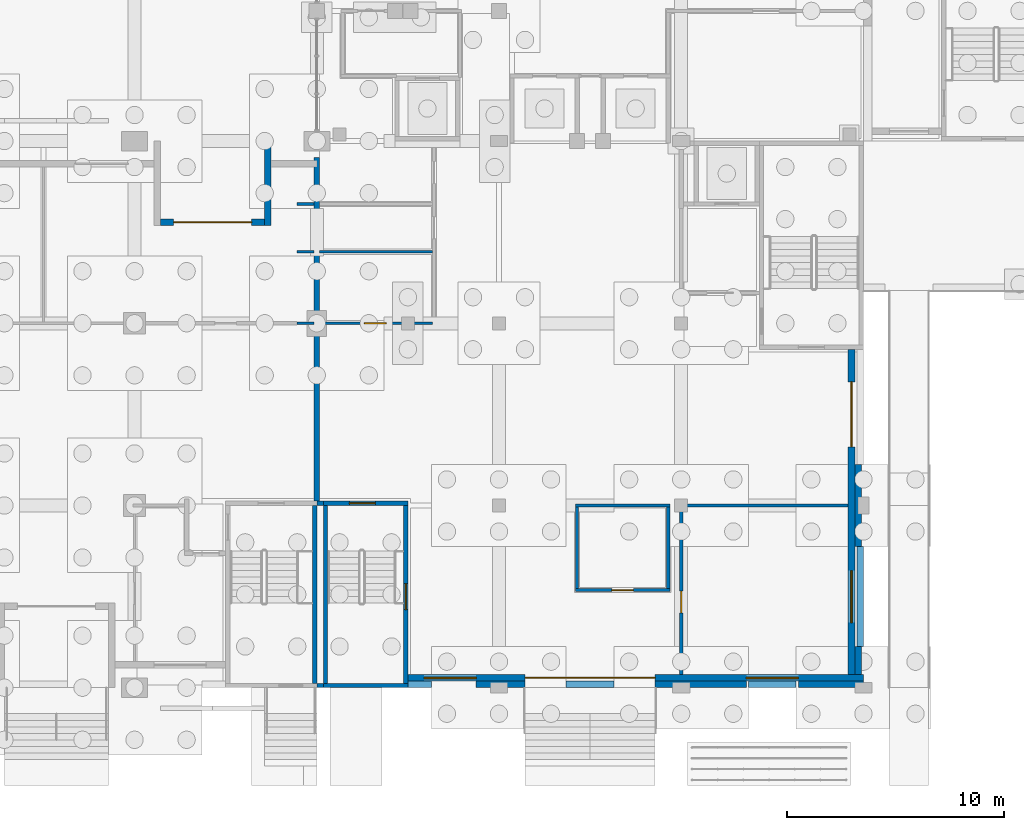
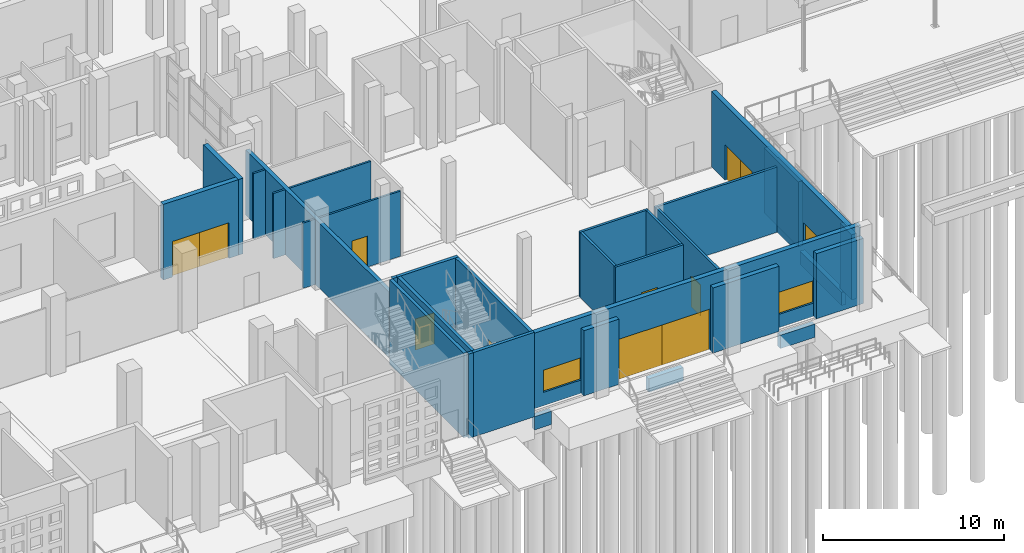
# One storey, part 44 of 129: 32 walls, 11 doors, 3 windows, 14 openings.
"""IFC4 building model written with IfcOpenShell, lengths in metres."""

from ifc_helpers import new_model, si_unit, direction, frame, frame_2d, origin, place, context, subcontext, project, spatial, rectangle, extrude, material, layer, layer_set, type_object, element, fill, save


model = new_model("IFC4")

# Units and contexts
model_context = context("Model", 3, precision=1e-05, world=origin(), true_north=direction((0.0, 1.0)))
body_context = subcontext(model_context, "Body", "Model", "MODEL_VIEW")
ifc_project = project(units=[si_unit("LENGTHUNIT", "METRE"), si_unit("AREAUNIT", "SQUARE_METRE"), si_unit("VOLUMEUNIT", "CUBIC_METRE"), si_unit("PLANEANGLEUNIT", "RADIAN"), si_unit("MASSUNIT", "GRAM", prefix="KILO")], contexts=[model_context])

# Site, building, storey
site_placement = place(None, origin())
site = spatial("IfcSite", under=ifc_project, at=site_placement, CompositionType="ELEMENT")
building_placement = place(site_placement, origin())
building = spatial("IfcBuilding", under=site, at=building_placement, Name="Kiln Court Media Centre", CompositionType="ELEMENT")
storey_placement = place(building_placement, origin())
storey = spatial("IfcBuildingStorey", under=building, at=storey_placement, Name="L00", CompositionType="ELEMENT", Elevation=0.0)

# Wall
ifc_material_1 = material(Name="Concrete block masonry M10", Category="masonry")
ifc_layer_1 = layer(ifc_material_1, 0.25)
ifc_layer_set_1 = layer_set([ifc_layer_1], Name="Block fire wall 250 EI 240")
wall_type_1 = type_object("IfcWallType", Name="Block fire wall 250 EI 240", PredefinedType="SOLIDWALL", material=ifc_layer_set_1)
wall_1_placement = place(storey_placement, frame((33.60009765625, 8.60009765625, 0.0), z_axis=(0.0, 0.0, 1.0), x_axis=(0.0, 1.0, 0.0)))
element("IfcWall", 1, at=wall_1_placement, inside=storey, type_object=wall_type_1, Name="L00 block fire wall", PredefinedType="SOLIDWALL", context=body_context, shape_type="SweptSolid", body=[
    extrude(rectangle(XDim=15.849853515625, YDim=0.25, at=frame_2d((7.9248046875, 0.0))), origin(), (0.0, 0.0, 1.0), 4.39990234375),
])

# Wall, openings, doors, window
ifc_material_2 = material(Name="Brick masonry facing leaf with RC backing", Category="masonry")
ifc_layer_2 = layer(ifc_material_2, 0.300048828125)
ifc_layer_set_2 = layer_set([ifc_layer_2], Name="Brick masonry cavity wall 300")
wall_type_2 = type_object("IfcWallType", Name="Brick masonry cavity wall 300", PredefinedType="SOLIDWALL", material=ifc_layer_set_2)
wall_2_placement = place(storey_placement, frame((58.25, 15.60009765625, 0.0), z_axis=(0.0, 0.0, 1.0), x_axis=(0.0, -1.0, 0.0)))
wall_2 = element("IfcWall", 2, at=wall_2_placement, inside=storey, type_object=wall_type_2, Name="V6B-E facade L00 3000", PredefinedType="SOLIDWALL", context=body_context, shape_type="SweptSolid", body=[
    extrude(rectangle(XDim=15.0, YDim=0.300048828125, at=frame_2d((7.5, 0.0))), origin(), (0.0, 0.0, 1.0), 5.10009765625),
])
opening_1_placement = place(wall_2_placement, frame((10.199951171875, 0.0, 0.89990234375)))
opening_1 = element("IfcOpeningElement", 3, at=opening_1_placement, cuts=wall_2, Name="Opening WN0001", PredefinedType="OPENING", context=body_context, shape_type="SweptSolid", body=[
    extrude(rectangle(XDim=2.39990234375, YDim=1.5, at=frame_2d((1.199951171875, 0.75))), frame((0.0, 0.159912109375, 0.0), z_axis=(0.0, -1.0, 0.0), x_axis=(1.0, 0.0, 0.0)), (0.0, 0.0, 1.0), 0.320068359375),
])
opening_2_placement = place(wall_2_placement, frame((3.0, 0.0, 0.0)))
opening_2 = element("IfcOpeningElement", 4, at=opening_2_placement, cuts=wall_2, Name="Opening D0600", PredefinedType="OPENING", context=body_context, shape_type="SweptSolid", body=[
    extrude(rectangle(XDim=1.5, YDim=2.39990234375, at=frame_2d((0.75, 1.199951171875))), frame((0.0, 0.159912109375, 0.0), z_axis=(0.0, -1.0, 0.0), x_axis=(1.0, 0.0, 0.0)), (0.0, 0.0, 1.0), 0.320068359375),
])
opening_3_placement = place(wall_2_placement, frame((1.5, 0.0, 0.0)))
opening_3 = element("IfcOpeningElement", 5, at=opening_3_placement, cuts=wall_2, Name="Opening D0601", PredefinedType="OPENING", context=body_context, shape_type="SweptSolid", body=[
    extrude(rectangle(XDim=1.5, YDim=2.39990234375, at=frame_2d((0.75, 1.199951171875))), frame((0.0, 0.159912109375, 0.0), z_axis=(0.0, -1.0, 0.0), x_axis=(1.0, 0.0, 0.0)), (0.0, 0.0, 1.0), 0.320068359375),
])
ifc_material_3 = material(Name="Aluminium 6063-T6", Category="aluminium")
door_type_1 = type_object("IfcDoorType", Name="Aluminium glazed entrance door 1500x2400", OperationType="DOUBLE_DOOR_DOUBLE_SWING", PredefinedType="DOOR", material=ifc_material_3)
door_1_placement = place(opening_2_placement, origin())
door_1 = element("IfcDoor", 6, at=door_1_placement, inside=storey, type_object=door_type_1, Name="DD door D0600", OperationType="SINGLE_SWING_LEFT", OverallHeight=2.39990234375, OverallWidth=1.5, PredefinedType="DOOR", context=body_context, shape_type="SweptSolid", body=[
    extrude(rectangle(XDim=1.5, YDim=2.39990234375, at=frame_2d((0.75, 1.199951171875))), frame((0.0, 0.02490234375, 0.0), z_axis=(0.0, -1.0, 0.0), x_axis=(1.0, 0.0, 0.0)), (0.0, 0.0, 1.0), 0.050048828125),
])
fill(opening_2, door_1)
door_2_placement = place(opening_3_placement, origin())
door_2 = element("IfcDoor", 7, at=door_2_placement, inside=storey, type_object=door_type_1, Name="DD door D0601", OperationType="SINGLE_SWING_LEFT", OverallHeight=2.39990234375, OverallWidth=1.5, PredefinedType="DOOR", context=body_context, shape_type="SweptSolid", body=[
    extrude(rectangle(XDim=1.5, YDim=2.39990234375, at=frame_2d((0.75, 1.199951171875))), frame((0.0, 0.02490234375, 0.0), z_axis=(0.0, -1.0, 0.0), x_axis=(1.0, 0.0, 0.0)), (0.0, 0.0, 1.0), 0.050048828125),
])
fill(opening_3, door_2)
ifc_material_4 = material(Name="Aluminium 6063-T6", Category="aluminium")
window_type = type_object("IfcWindowType", Name="Aluminium window 2400x1500", PartitioningType="TRIPLE_PANEL_VERTICAL", PredefinedType="WINDOW", material=ifc_material_4)
window_1_placement = place(opening_1_placement, origin())
window_1 = element("IfcWindow", 8, at=window_1_placement, inside=storey, type_object=window_type, Name="WC window WN0001", OverallHeight=1.5, OverallWidth=2.39990234375, PartitioningType="SINGLE_PANEL", PredefinedType="WINDOW", context=body_context, shape_type="SweptSolid", body=[
    extrude(rectangle(XDim=2.39990234375, YDim=1.5, at=frame_2d((1.199951171875, 0.75))), frame((0.0, 0.030029296875, 0.0), z_axis=(0.0, -1.0, 0.0), x_axis=(1.0, 0.0, 0.0)), (0.0, 0.0, 1.0), 0.06005859375),
])
fill(opening_1, window_1)

# Wall, openings, doors, windows
wall_3_placement = place(storey_placement, frame((58.800048828125, 0.449951171875, 0.0), z_axis=(0.0, 0.0, 1.0), x_axis=(-1.0, 0.0, 0.0)))
wall_3 = element("IfcWall", 9, at=wall_3_placement, inside=storey, type_object=wall_type_2, Name="V6B-S facade L00 3003", PredefinedType="SOLIDWALL", context=body_context, shape_type="SweptSolid", body=[
    extrude(rectangle(XDim=21.0, YDim=0.300048828125, at=frame_2d((10.5, 0.0))), origin(), (0.0, 0.0, 1.0), 5.10009765625),
])
opening_4_placement = place(wall_3_placement, frame((17.85009765625, 0.0, 0.89990234375)))
opening_4 = element("IfcOpeningElement", 10, at=opening_4_placement, cuts=wall_3, Name="Opening WN0002", PredefinedType="OPENING", context=body_context, shape_type="SweptSolid", body=[
    extrude(rectangle(XDim=2.39990234375, YDim=1.5, at=frame_2d((1.199951171875, 0.75))), frame((0.0, 0.159912109375, 0.0), z_axis=(0.0, -1.0, 0.0), x_axis=(1.0, 0.0, 0.0)), (0.0, 0.0, 1.0), 0.320068359375),
])
opening_5_placement = place(wall_3_placement, frame((3.0, 0.0, 0.89990234375)))
opening_5 = element("IfcOpeningElement", 11, at=opening_5_placement, cuts=wall_3, Name="Opening WN0004", PredefinedType="OPENING", context=body_context, shape_type="SweptSolid", body=[
    extrude(rectangle(XDim=2.39990234375, YDim=1.5, at=frame_2d((1.199951171875, 0.75))), frame((0.0, 0.159912109375, 0.0), z_axis=(0.0, -1.0, 0.0), x_axis=(1.0, 0.0, 0.0)), (0.0, 0.0, 1.0), 0.320068359375),
])
opening_6_placement = place(wall_3_placement, frame((12.60009765625, 0.0, 0.0)))
opening_6 = element("IfcOpeningElement", 12, at=opening_6_placement, cuts=wall_3, Name="Opening D0785", PredefinedType="OPENING", context=body_context, shape_type="SweptSolid", body=[
    extrude(rectangle(XDim=3.0, YDim=2.800048828125, at=frame_2d((1.5, 1.39990234375))), frame((0.0, 0.159912109375, 0.0), z_axis=(0.0, -1.0, 0.0), x_axis=(1.0, 0.0, 0.0)), (0.0, 0.0, 1.0), 0.320068359375),
])
opening_7_placement = place(wall_3_placement, frame((9.60009765625, 0.0, 0.0)))
opening_7 = element("IfcOpeningElement", 13, at=opening_7_placement, cuts=wall_3, Name="Opening D0786", PredefinedType="OPENING", context=body_context, shape_type="SweptSolid", body=[
    extrude(rectangle(XDim=3.0, YDim=2.800048828125, at=frame_2d((1.5, 1.39990234375))), frame((0.0, 0.159912109375, 0.0), z_axis=(0.0, -1.0, 0.0), x_axis=(1.0, 0.0, 0.0)), (0.0, 0.0, 1.0), 0.320068359375),
])
ifc_material_5 = material(Name="Aluminium 6063-T6", Category="aluminium")
door_type_2 = type_object("IfcDoorType", Name="Aluminium hall entrance door 3000x2800", OperationType="DOUBLE_DOOR_DOUBLE_SWING", PredefinedType="DOOR", material=ifc_material_5)
door_3_placement = place(opening_6_placement, origin())
door_3 = element("IfcDoor", 14, at=door_3_placement, inside=storey, type_object=door_type_2, Name="EN-04 entrance door 1", OperationType="DOUBLE_DOOR_DOUBLE_SWING", OverallHeight=2.800048828125, OverallWidth=3.0, PredefinedType="DOOR", context=body_context, shape_type="SweptSolid", body=[
    extrude(rectangle(XDim=3.0, YDim=2.800048828125, at=frame_2d((1.5, 1.39990234375))), frame((0.0, 0.02490234375, 0.0), z_axis=(0.0, -1.0, 0.0), x_axis=(1.0, 0.0, 0.0)), (0.0, 0.0, 1.0), 0.050048828125),
])
fill(opening_6, door_3)
door_4_placement = place(opening_7_placement, origin())
door_4 = element("IfcDoor", 15, at=door_4_placement, inside=storey, type_object=door_type_2, Name="EN-04 entrance door 2", OperationType="DOUBLE_DOOR_DOUBLE_SWING", OverallHeight=2.800048828125, OverallWidth=3.0, PredefinedType="DOOR", context=body_context, shape_type="SweptSolid", body=[
    extrude(rectangle(XDim=3.0, YDim=2.800048828125, at=frame_2d((1.5, 1.39990234375))), frame((0.0, 0.02490234375, 0.0), z_axis=(0.0, -1.0, 0.0), x_axis=(1.0, 0.0, 0.0)), (0.0, 0.0, 1.0), 0.050048828125),
])
fill(opening_7, door_4)
window_2_placement = place(opening_4_placement, origin())
window_2 = element("IfcWindow", 16, at=window_2_placement, inside=storey, type_object=window_type, Name="WC window WN0002", OverallHeight=1.5, OverallWidth=2.39990234375, PartitioningType="SINGLE_PANEL", PredefinedType="WINDOW", context=body_context, shape_type="SweptSolid", body=[
    extrude(rectangle(XDim=2.39990234375, YDim=1.5, at=frame_2d((1.199951171875, 0.75))), frame((0.0, 0.030029296875, 0.0), z_axis=(0.0, -1.0, 0.0), x_axis=(1.0, 0.0, 0.0)), (0.0, 0.0, 1.0), 0.06005859375),
])
fill(opening_4, window_2)
window_3_placement = place(opening_5_placement, origin())
window_3 = element("IfcWindow", 17, at=window_3_placement, inside=storey, type_object=window_type, Name="WC window WN0004", OverallHeight=1.5, OverallWidth=2.39990234375, PartitioningType="SINGLE_PANEL", PredefinedType="WINDOW", context=body_context, shape_type="SweptSolid", body=[
    extrude(rectangle(XDim=2.39990234375, YDim=1.5, at=frame_2d((1.199951171875, 0.75))), frame((0.0, 0.030029296875, 0.0), z_axis=(0.0, -1.0, 0.0), x_axis=(1.0, 0.0, 0.0)), (0.0, 0.0, 1.0), 0.06005859375),
])
fill(opening_5, window_3)

# Walls
ifc_material_6 = material(Name="Brick masonry facing leaf with RC backing", Category="masonry")
ifc_layer_3 = layer(ifc_material_6, 0.300048828125)
ifc_layer_set_3 = layer_set([ifc_layer_3], Name="Brick masonry plinth layer 300")
wall_type_3 = type_object("IfcWallType", Name="Brick masonry plinth layer 300", PredefinedType="SOLIDWALL", material=ifc_layer_set_3)
wall_4_placement = place(storey_placement, frame((58.550048828125, 1.89990234375, 0.0), z_axis=(0.0, 0.0, 1.0), x_axis=(0.0, -1.0, 0.0)))
element("IfcWall", 18, at=wall_4_placement, inside=storey, type_object=wall_type_3, Name="V6B-E plinth layer", PredefinedType="SOLIDWALL", context=body_context, shape_type="SweptSolid", body=[
    extrude(rectangle(XDim=1.2998046875, YDim=0.300048828125, at=frame_2d((0.64990234375, 0.0))), origin(), (0.0, 0.0, 1.0), 4.39990234375),
])
wall_5_placement = place(storey_placement, frame((58.550048828125, 10.300048828125, 0.0), z_axis=(0.0, 0.0, 1.0), x_axis=(0.0, -1.0, 0.0)))
element("IfcWall", 19, at=wall_5_placement, inside=storey, type_object=wall_type_3, Name="V6B-E plinth layer", PredefinedType="SOLIDWALL", context=body_context, shape_type="SweptSolid", body=[
    extrude(rectangle(XDim=3.800048828125, YDim=0.300048828125, at=frame_2d((1.89990234375, 0.0))), origin(), (0.0, 0.0, 1.0), 4.39990234375),
])
wall_6_placement = place(storey_placement, frame((43.199951171875, 0.14990234375, 0.0), z_axis=(0.0, 0.0, 1.0), x_axis=(-1.0, 0.0, 0.0)))
element("IfcWall", 20, at=wall_6_placement, inside=storey, type_object=wall_type_3, Name="V6B-S plinth layer", PredefinedType="SOLIDWALL", context=body_context, shape_type="SweptSolid", body=[
    extrude(rectangle(XDim=2.25, YDim=0.300048828125, at=frame_2d((1.125, 0.0))), origin(), (0.0, 0.0, 1.0), 4.39990234375),
])
wall_7_placement = place(storey_placement, frame((53.39990234375, 0.14990234375, 0.0), z_axis=(0.0, 0.0, 1.0), x_axis=(-1.0, 0.0, 0.0)))
element("IfcWall", 21, at=wall_7_placement, inside=storey, type_object=wall_type_3, Name="V6B-S plinth layer", PredefinedType="SOLIDWALL", context=body_context, shape_type="SweptSolid", body=[
    extrude(rectangle(XDim=4.199951171875, YDim=0.300048828125, at=frame_2d((2.10009765625, 0.0))), origin(), (0.0, 0.0, 1.0), 4.39990234375),
])
wall_8_placement = place(storey_placement, frame((58.800048828125, 0.14990234375, 0.0), z_axis=(0.0, 0.0, 1.0), x_axis=(-1.0, 0.0, 0.0)))
element("IfcWall", 22, at=wall_8_placement, inside=storey, type_object=wall_type_3, Name="V6B-S plinth layer", PredefinedType="SOLIDWALL", context=body_context, shape_type="SweptSolid", body=[
    extrude(rectangle(XDim=3.0, YDim=0.300048828125, at=frame_2d((1.5, 0.0))), origin(), (0.0, 0.0, 1.0), 4.39990234375),
])
ifc_material_7 = material(Name="Brick masonry facing leaf with RC backing", Category="masonry")
ifc_layer_4 = layer(ifc_material_7, 0.300048828125)
ifc_layer_set_4 = layer_set([ifc_layer_4], Name="Brick masonry wing wall 300")
wall_type_4 = type_object("IfcWallType", Name="Brick masonry wing wall 300", PredefinedType="SOLIDWALL", material=ifc_layer_set_4)
wall_9_placement = place(storey_placement, frame((31.35009765625, 21.300048828125, 0.0), z_axis=(0.0, 0.0, 1.0), x_axis=(0.0, 1.0, 0.0)))
element("IfcWall", 23, at=wall_9_placement, inside=storey, type_object=wall_type_4, Name="V6A-N porch side wall", PredefinedType="SOLIDWALL", context=body_context, shape_type="SweptSolid", body=[
    extrude(rectangle(XDim=3.89990234375, YDim=0.300048828125, at=frame_2d((1.949951171875, 0.0))), origin(), (0.0, 0.0, 1.0), 5.10009765625),
])

# Wall, openings, doors
wall_10_placement = place(storey_placement, frame((26.39990234375, 21.449951171875, 0.0), z_axis=(0.0, 0.0, 1.0), x_axis=(1.0, 0.0, 0.0)))
wall_10 = element("IfcWall", 24, at=wall_10_placement, inside=storey, type_object=wall_type_4, Name="V6A-N porch back wall", PredefinedType="SOLIDWALL", context=body_context, shape_type="SweptSolid", body=[
    extrude(rectangle(XDim=4.800048828125, YDim=0.300048828125, at=frame_2d((2.39990234375, 0.0))), origin(), (0.0, 0.0, 1.0), 5.10009765625),
])
opening_8_placement = place(wall_10_placement, frame((0.60009765625, 0.0, 0.0)))
opening_8 = element("IfcOpeningElement", 25, at=opening_8_placement, cuts=wall_10, Name="Opening D0610", PredefinedType="OPENING", context=body_context, shape_type="SweptSolid", body=[
    extrude(rectangle(XDim=1.800048828125, YDim=2.39990234375, at=frame_2d((0.89990234375, 1.199951171875))), frame((0.0, 0.159912109375, 0.0), z_axis=(0.0, -1.0, 0.0), x_axis=(1.0, 0.0, 0.0)), (0.0, 0.0, 1.0), 0.320068359375),
])
opening_9_placement = place(wall_10_placement, frame((2.39990234375, 0.0, 0.0)))
opening_9 = element("IfcOpeningElement", 26, at=opening_9_placement, cuts=wall_10, Name="Opening D0611", PredefinedType="OPENING", context=body_context, shape_type="SweptSolid", body=[
    extrude(rectangle(XDim=1.800048828125, YDim=2.39990234375, at=frame_2d((0.89990234375, 1.199951171875))), frame((0.0, 0.159912109375, 0.0), z_axis=(0.0, -1.0, 0.0), x_axis=(1.0, 0.0, 0.0)), (0.0, 0.0, 1.0), 0.320068359375),
])
ifc_material_8 = material(Name="Aluminium 6063-T6", Category="aluminium")
door_type_3 = type_object("IfcDoorType", Name="Aluminium glazed entrance door 1800x2400", OperationType="DOUBLE_DOOR_DOUBLE_SWING", PredefinedType="DOOR", material=ifc_material_8)
door_5_placement = place(opening_8_placement, origin())
door_5 = element("IfcDoor", 27, at=door_5_placement, inside=storey, type_object=door_type_3, Name="DA door D0610", OperationType="SINGLE_SWING_LEFT", OverallHeight=2.39990234375, OverallWidth=1.800048828125, PredefinedType="DOOR", context=body_context, shape_type="SweptSolid", body=[
    extrude(rectangle(XDim=1.800048828125, YDim=2.39990234375, at=frame_2d((0.89990234375, 1.199951171875))), frame((0.0, 0.02490234375, 0.0), z_axis=(0.0, -1.0, 0.0), x_axis=(1.0, 0.0, 0.0)), (0.0, 0.0, 1.0), 0.050048828125),
])
fill(opening_8, door_5)
door_6_placement = place(opening_9_placement, origin())
door_6 = element("IfcDoor", 28, at=door_6_placement, inside=storey, type_object=door_type_3, Name="DA door D0611", OperationType="SINGLE_SWING_LEFT", OverallHeight=2.39990234375, OverallWidth=1.800048828125, PredefinedType="DOOR", context=body_context, shape_type="SweptSolid", body=[
    extrude(rectangle(XDim=1.800048828125, YDim=2.39990234375, at=frame_2d((0.89990234375, 1.199951171875))), frame((0.0, 0.02490234375, 0.0), z_axis=(0.0, -1.0, 0.0), x_axis=(1.0, 0.0, 0.0)), (0.0, 0.0, 1.0), 0.050048828125),
])
fill(opening_9, door_6)

# Walls
ifc_material_9 = material(Name="Concrete C30/37", Category="concrete")
ifc_layer_5 = layer(ifc_material_9, 0.300048828125)
ifc_layer_set_5 = layer_set([ifc_layer_5], Name="Concrete C30/37 plinth wall 300")
wall_type_5 = type_object("IfcWallType", Name="Concrete C30/37 plinth wall 300", PredefinedType="SOLIDWALL", material=ifc_layer_set_5)
wall_11_placement = place(storey_placement, frame((38.89990234375, 0.14990234375, -1.199951171875), z_axis=(0.0, 0.0, 1.0), x_axis=(-1.0, 0.0, 0.0)))
element("IfcWall", 29, at=wall_11_placement, inside=storey, type_object=wall_type_5, Name="L00-W-1169", PredefinedType="SOLIDWALL", context=body_context, shape_type="SweptSolid", body=[
    extrude(rectangle(XDim=1.099853515625, YDim=0.300048828125, at=frame_2d((0.5498046875, 0.0))), origin(), (0.0, 0.0, 1.0), 0.89990234375),
])
for number, where, z_axis, x_axis, name in (
    (30, (47.300048828125, 0.14990234375, -1.199951171875), (0.0, 0.0, 1.0), (-1.0, 0.0, 0.0), "L00-W-1170"),
    (31, (55.699951171875, 0.14990234375, -1.199951171875), (0.0, 0.0, 1.0), (-1.0, 0.0, 0.0), "L00-W-1171"),
):
    element("IfcWall", number, at=place(storey_placement, frame(where, z_axis=z_axis, x_axis=x_axis)), inside=storey, type_object=wall_type_5, Name=name, PredefinedType="SOLIDWALL", context=body_context, shape_type="SweptSolid", body=[
        extrude(rectangle(XDim=2.199951171875, YDim=0.300048828125, at=frame_2d((1.10009765625, 0.0))), origin(), (0.0, 0.0, 1.0), 0.89990234375),
    ])
wall_12_placement = place(storey_placement, frame((58.64990234375, 6.5, -1.199951171875), z_axis=(0.0, 0.0, 1.0), x_axis=(0.0, -1.0, 0.0)))
element("IfcWall", 32, at=wall_12_placement, inside=storey, type_object=wall_type_5, Name="L00-W-1172", PredefinedType="SOLIDWALL", context=body_context, shape_type="SweptSolid", body=[
    extrude(rectangle(XDim=4.60009765625, YDim=0.300048828125, at=frame_2d((2.300048828125, 0.0))), origin(), (0.0, 0.0, 1.0), 0.89990234375),
])
ifc_material_10 = material(Name="Concrete C40/50", Category="concrete")
ifc_layer_6 = layer(ifc_material_10, 0.199951171875)
ifc_layer_set_6 = layer_set([ifc_layer_6], Name="Concrete C40/50 shear wall 200")
wall_type_6 = type_object("IfcWallType", Name="Concrete C40/50 shear wall 200", PredefinedType="SHEAR", material=ifc_layer_set_6)
wall_13_placement = place(storey_placement, frame((33.5, 8.39990234375, -0.300048828125), z_axis=(0.0, 0.0, 1.0), x_axis=(0.0, -1.0, 0.0)))
element("IfcWall", 33, at=wall_13_placement, inside=storey, type_object=wall_type_6, Name="L00-W-1011", PredefinedType="SHEAR", context=body_context, shape_type="SweptSolid", body=[
    extrude(rectangle(XDim=8.199951171875, YDim=0.199951171875, at=frame_2d((4.10009765625, 0.0))), origin(), (0.0, 0.0, 1.0), 5.699951171875),
])
wall_14_placement = place(storey_placement, frame((37.800048828125, 0.10009765625, -0.300048828125), z_axis=(0.0, 0.0, 1.0), x_axis=(-1.0, 0.0, 0.0)))
element("IfcWall", 34, at=wall_14_placement, inside=storey, type_object=wall_type_6, Name="L00-W-1012", PredefinedType="SHEAR", context=body_context, shape_type="SweptSolid", body=[
    extrude(rectangle(XDim=3.900146484375, YDim=0.199951171875, at=frame_2d((1.9501953125, 0.0))), origin(), (0.0, 0.0, 1.0), 5.699951171875),
])

# Wall, opening, door
wall_15_placement = place(storey_placement, frame((33.89990234375, 8.5, -0.300048828125), z_axis=(0.0, 0.0, 1.0), x_axis=(1.0, 0.0, 0.0)))
wall_15 = element("IfcWall", 35, at=wall_15_placement, inside=storey, type_object=wall_type_6, Name="L00-W-1013", PredefinedType="SHEAR", context=body_context, shape_type="SweptSolid", body=[
    extrude(rectangle(XDim=3.900146484375, YDim=0.199951171875, at=frame_2d((1.9501953125, 0.0))), origin(), (0.0, 0.0, 1.0), 5.699951171875),
])
opening_10_placement = place(wall_15_placement, frame((1.2001953125, 0.0, 0.300048828125)))
opening_10 = element("IfcOpeningElement", 36, at=opening_10_placement, cuts=wall_15, Name="Opening D0020", PredefinedType="OPENING", context=body_context, shape_type="SweptSolid", body=[
    extrude(rectangle(XDim=1.199951171875, YDim=2.10009765625, at=frame_2d((0.60009765625, 1.050048828125))), frame((0.0, 0.10986328125, 0.0), z_axis=(0.0, -1.0, 0.0), x_axis=(1.0, 0.0, 0.0)), (0.0, 0.0, 1.0), 0.219970703125),
])
ifc_material_11 = material(Name="Steel S275", Category="steel")
door_type_4 = type_object("IfcDoorType", Name="Steel stair door 1200 x 2100 FD180", OperationType="SINGLE_SWING_LEFT", PredefinedType="DOOR", material=ifc_material_11)
door_7_placement = place(opening_10_placement, origin())
door_7 = element("IfcDoor", 37, at=door_7_placement, inside=storey, type_object=door_type_4, Name="Stair 4 / Foyer Cafe", OperationType="SINGLE_SWING_RIGHT", OverallHeight=2.10009765625, OverallWidth=1.199951171875, PredefinedType="DOOR", context=body_context, shape_type="SweptSolid", body=[
    extrude(rectangle(XDim=1.199951171875, YDim=2.10009765625, at=frame_2d((0.60009765625, 1.050048828125))), frame((0.0, 0.02490234375, 0.0), z_axis=(0.0, -1.0, 0.0), x_axis=(1.0, 0.0, 0.0)), (0.0, 0.0, 1.0), 0.050048828125),
])
fill(opening_10, door_7)

# Wall
wall_16_placement = place(storey_placement, frame((34.0, 0.199951171875, -0.300048828125), z_axis=(0.0, 0.0, 1.0), x_axis=(0.0, 1.0, 0.0)))
element("IfcWall", 38, at=wall_16_placement, inside=storey, type_object=wall_type_6, Name="L00-W-1014", PredefinedType="SHEAR", context=body_context, shape_type="SweptSolid", body=[
    extrude(rectangle(XDim=8.199951171875, YDim=0.199951171875, at=frame_2d((4.10009765625, 0.0))), origin(), (0.0, 0.0, 1.0), 5.699951171875),
])

# Wall, opening, door
wall_17_placement = place(storey_placement, frame((37.699951171875, 8.39990234375, -0.300048828125), z_axis=(0.0, 0.0, 1.0), x_axis=(0.0, -1.0, 0.0)))
wall_17 = element("IfcWall", 39, at=wall_17_placement, inside=storey, type_object=wall_type_6, Name="L00-W-1015", PredefinedType="SHEAR", context=body_context, shape_type="SweptSolid", body=[
    extrude(rectangle(XDim=8.199951171875, YDim=0.199951171875, at=frame_2d((4.10009765625, 0.0))), origin(), (0.0, 0.0, 1.0), 5.699951171875),
])
opening_11_placement = place(wall_17_placement, frame((3.599853515625, 0.0, 0.300048828125)))
opening_11 = element("IfcOpeningElement", 40, at=opening_11_placement, cuts=wall_17, Name="Opening D0019", PredefinedType="OPENING", context=body_context, shape_type="SweptSolid", body=[
    extrude(rectangle(XDim=1.199951171875, YDim=2.10009765625, at=frame_2d((0.60009765625, 1.050048828125))), frame((0.0, 0.10986328125, 0.0), z_axis=(0.0, -1.0, 0.0), x_axis=(1.0, 0.0, 0.0)), (0.0, 0.0, 1.0), 0.219970703125),
])
door_8_placement = place(opening_11_placement, origin())
door_8 = element("IfcDoor", 41, at=door_8_placement, inside=storey, type_object=door_type_4, Name="Stair 4 / Street Entrance Hall", OperationType="SINGLE_SWING_RIGHT", OverallHeight=2.10009765625, OverallWidth=1.199951171875, PredefinedType="DOOR", context=body_context, shape_type="SweptSolid", body=[
    extrude(rectangle(XDim=1.199951171875, YDim=2.10009765625, at=frame_2d((0.60009765625, 1.050048828125))), frame((0.0, 0.02490234375, 0.0), z_axis=(0.0, -1.0, 0.0), x_axis=(1.0, 0.0, 0.0)), (0.0, 0.0, 1.0), 0.050048828125),
])
fill(opening_11, door_8)

# Walls
for number, where, z_axis, x_axis, name in (
    (42, (33.89990234375, 0.10009765625, -0.300048828125), (0.0, 0.0, 1.0), (-1.0, 0.0, 0.0), "L00-W-1153"),
    (43, (33.60009765625, 8.5, -0.300048828125), (0.0, 0.0, 1.0), (1.0, 0.0, 0.0), "L00-W-1154"),
):
    element("IfcWall", number, at=place(storey_placement, frame(where, z_axis=z_axis, x_axis=x_axis)), inside=storey, type_object=wall_type_6, Name=name, PredefinedType="SHEAR", context=body_context, shape_type="SweptSolid", body=[
        extrude(rectangle(XDim=0.2998046875, YDim=0.199951171875, at=frame_2d((0.14990234375, 0.0))), origin(), (0.0, 0.0, 1.0), 5.699951171875),
    ])

# Wall, opening, door
ifc_material_12 = material(Name="Gypsum plasterboard", Category="gypsum")
ifc_layer_7 = layer(ifc_material_12, 0.14990234375)
ifc_layer_set_7 = layer_set([ifc_layer_7], Name="Gypsum corridor partition 150 EI 60")
wall_type_7 = type_object("IfcWallType", Name="Gypsum corridor partition 150 EI 60", PredefinedType="PARTITIONING", material=ifc_layer_set_7)
wall_18_placement = place(storey_placement, frame((45.52490234375, 4.5, 0.0), z_axis=(0.0, 0.0, 1.0), x_axis=(1.0, 0.0, 0.0)))
wall_18 = element("IfcWall", 44, at=wall_18_placement, inside=storey, type_object=wall_type_7, Name="L00 gypsum corridor partition", PredefinedType="PARTITIONING", context=body_context, shape_type="SweptSolid", body=[
    extrude(rectangle(XDim=4.35009765625, YDim=0.14990234375, at=frame_2d((2.175048828125, 0.0))), origin(), (0.0, 0.0, 1.0), 4.39990234375),
])
opening_12_placement = place(wall_18_placement, frame((1.675048828125, 0.0, 0.0)))
opening_12 = element("IfcOpeningElement", 45, at=opening_12_placement, cuts=wall_18, Name="Opening D0050", PredefinedType="OPENING", context=body_context, shape_type="SweptSolid", body=[
    extrude(rectangle(XDim=1.0, YDim=2.10009765625, at=frame_2d((0.5, 1.050048828125))), frame((0.0, 0.0849609375, 0.0), z_axis=(0.0, -1.0, 0.0), x_axis=(1.0, 0.0, 0.0)), (0.0, 0.0, 1.0), 0.169921875),
])
ifc_material_13 = material(Name="Steel S275", Category="steel")
door_type_5 = type_object("IfcDoorType", Name="Steel corridor door 1000 x 2100 FD30S", OperationType="SINGLE_SWING_LEFT", PredefinedType="DOOR", material=ifc_material_13)
door_9_placement = place(opening_12_placement, origin())
door_9 = element("IfcDoor", 46, at=door_9_placement, inside=storey, type_object=door_type_5, Name="Street Entrance Hall / Fire Command Room", OperationType="SINGLE_SWING_RIGHT", OverallHeight=2.10009765625, OverallWidth=1.0, PredefinedType="DOOR", context=body_context, shape_type="SweptSolid", body=[
    extrude(rectangle(XDim=1.0, YDim=2.10009765625, at=frame_2d((0.5, 1.050048828125))), frame((0.0, 0.02490234375, 0.0), z_axis=(0.0, -1.0, 0.0), x_axis=(1.0, 0.0, 0.0)), (0.0, 0.0, 1.0), 0.050048828125),
])
fill(opening_12, door_9)

# Walls
wall_19_placement = place(storey_placement, frame((45.52490234375, 8.39990234375, 0.0), z_axis=(0.0, 0.0, 1.0), x_axis=(1.0, 0.0, 0.0)))
element("IfcWall", 47, at=wall_19_placement, inside=storey, type_object=wall_type_7, Name="L00 gypsum corridor partition", PredefinedType="PARTITIONING", context=body_context, shape_type="SweptSolid", body=[
    extrude(rectangle(XDim=4.35009765625, YDim=0.14990234375, at=frame_2d((2.175048828125, 0.0))), origin(), (0.0, 0.0, 1.0), 4.39990234375),
])
wall_20_placement = place(storey_placement, frame((50.324951171875, 8.39990234375, 0.0), z_axis=(0.0, 0.0, 1.0), x_axis=(1.0, 0.0, 0.0)))
element("IfcWall", 48, at=wall_20_placement, inside=storey, type_object=wall_type_7, Name="L00 gypsum corridor partition", PredefinedType="PARTITIONING", context=body_context, shape_type="SweptSolid", body=[
    extrude(rectangle(XDim=7.775146484375, YDim=0.14990234375, at=frame_2d((3.8876953125, 0.0))), origin(), (0.0, 0.0, 1.0), 4.39990234375),
])
for number, where, z_axis, x_axis, name in (
    (49, (45.60009765625, 4.574951171875, 0.0), (0.0, 0.0, 1.0), (0.0, 1.0, 0.0), "L00 gypsum corridor partition"),
    (50, (49.800048828125, 4.574951171875, 0.0), (0.0, 0.0, 1.0), (0.0, 1.0, 0.0), "L00 gypsum corridor partition"),
):
    element("IfcWall", number, at=place(storey_placement, frame(where, z_axis=z_axis, x_axis=x_axis)), inside=storey, type_object=wall_type_7, Name=name, PredefinedType="PARTITIONING", context=body_context, shape_type="SweptSolid", body=[
        extrude(rectangle(XDim=3.75, YDim=0.14990234375, at=frame_2d((1.875, 0.0))), origin(), (0.0, 0.0, 1.0), 4.39990234375),
    ])

# Wall, opening, door
wall_21_placement = place(storey_placement, frame((50.39990234375, 0.60009765625, 0.0), z_axis=(0.0, 0.0, 1.0), x_axis=(0.0, 1.0, 0.0)))
wall_21 = element("IfcWall", 51, at=wall_21_placement, inside=storey, type_object=wall_type_7, Name="L00 gypsum corridor partition", PredefinedType="PARTITIONING", context=body_context, shape_type="SweptSolid", body=[
    extrude(rectangle(XDim=7.724853515625, YDim=0.14990234375, at=frame_2d((3.8623046875, 0.0))), origin(), (0.0, 0.0, 1.0), 4.39990234375),
])
opening_13_placement = place(wall_21_placement, frame((2.85009765625, 0.0, 0.0)))
opening_13 = element("IfcOpeningElement", 52, at=opening_13_placement, cuts=wall_21, Name="Opening D0049", PredefinedType="OPENING", context=body_context, shape_type="SweptSolid", body=[
    extrude(rectangle(XDim=1.0, YDim=2.10009765625, at=frame_2d((0.5, 1.050048828125))), frame((0.0, 0.0849609375, 0.0), z_axis=(0.0, -1.0, 0.0), x_axis=(1.0, 0.0, 0.0)), (0.0, 0.0, 1.0), 0.169921875),
])
door_10_placement = place(opening_13_placement, origin())
door_10 = element("IfcDoor", 53, at=door_10_placement, inside=storey, type_object=door_type_5, Name="Street Entrance Hall / Box Office", OperationType="SINGLE_SWING_LEFT", OverallHeight=2.10009765625, OverallWidth=1.0, PredefinedType="DOOR", context=body_context, shape_type="SweptSolid", body=[
    extrude(rectangle(XDim=1.0, YDim=2.10009765625, at=frame_2d((0.5, 1.050048828125))), frame((0.0, 0.02490234375, 0.0), z_axis=(0.0, -1.0, 0.0), x_axis=(1.0, 0.0, 0.0)), (0.0, 0.0, 1.0), 0.050048828125),
])
fill(opening_13, door_10)

# Wall
ifc_material_14 = material(Name="Gypsum plasterboard", Category="gypsum")
ifc_layer_8 = layer(ifc_material_14, 0.125)
ifc_layer_set_8 = layer_set([ifc_layer_8], Name="Gypsum wet-area partition 125")
wall_type_8 = type_object("IfcWallType", Name="Gypsum wet-area partition 125", PredefinedType="PARTITIONING", material=ifc_layer_set_8)
wall_22_placement = place(storey_placement, frame((32.699951171875, 16.800048828125, 0.0), z_axis=(0.0, 0.0, 1.0), x_axis=(1.0, 0.0, 0.0)))
element("IfcWall", 54, at=wall_22_placement, inside=storey, type_object=wall_type_8, Name="L00 gypsum wet-area partition", PredefinedType="PARTITIONING", context=body_context, shape_type="SweptSolid", body=[
    extrude(rectangle(XDim=0.775146484375, YDim=0.125, at=frame_2d((0.3876953125, 0.0))), origin(), (0.0, 0.0, 1.0), 4.39990234375),
])

# Wall, opening, door
wall_23_placement = place(storey_placement, frame((33.72509765625, 16.800048828125, 0.0), z_axis=(0.0, 0.0, 1.0), x_axis=(1.0, 0.0, 0.0)))
wall_23 = element("IfcWall", 55, at=wall_23_placement, inside=storey, type_object=wall_type_8, Name="L00 gypsum wet-area partition", PredefinedType="PARTITIONING", context=body_context, shape_type="SweptSolid", body=[
    extrude(rectangle(XDim=5.199951171875, YDim=0.125, at=frame_2d((2.60009765625, 0.0))), origin(), (0.0, 0.0, 1.0), 4.39990234375),
])
opening_14_placement = place(wall_23_placement, frame((2.074951171875, 0.0, 0.0)))
opening_14 = element("IfcOpeningElement", 56, at=opening_14_placement, cuts=wall_23, Name="Opening D0051", PredefinedType="OPENING", context=body_context, shape_type="SweptSolid", body=[
    extrude(rectangle(XDim=1.0, YDim=2.10009765625, at=frame_2d((0.5, 1.050048828125))), frame((0.0, 0.072509765625, 0.0), z_axis=(0.0, -1.0, 0.0), x_axis=(1.0, 0.0, 0.0)), (0.0, 0.0, 1.0), 0.14501953125),
])
ifc_material_15 = material(Name="Timber", Category="wood")
door_type_6 = type_object("IfcDoorType", Name="Timber door 1000 x 2100", OperationType="SINGLE_SWING_LEFT", PredefinedType="DOOR", material=ifc_material_15)
door_11_placement = place(opening_14_placement, origin())
door_11 = element("IfcDoor", 57, at=door_11_placement, inside=storey, type_object=door_type_6, Name="Foyer Cafe / Women's WC", OperationType="SINGLE_SWING_LEFT", OverallHeight=2.10009765625, OverallWidth=1.0, PredefinedType="DOOR", context=body_context, shape_type="SweptSolid", body=[
    extrude(rectangle(XDim=1.0, YDim=2.10009765625, at=frame_2d((0.5, 1.050048828125))), frame((0.0, 0.02490234375, 0.0), z_axis=(0.0, -1.0, 0.0), x_axis=(1.0, 0.0, 0.0)), (0.0, 0.0, 1.0), 0.050048828125),
])
fill(opening_14, door_11)

# Walls
wall_24_placement = place(storey_placement, frame((32.699951171875, 20.10009765625, 0.0), z_axis=(0.0, 0.0, 1.0), x_axis=(1.0, 0.0, 0.0)))
element("IfcWall", 58, at=wall_24_placement, inside=storey, type_object=wall_type_8, Name="L00 gypsum wet-area partition", PredefinedType="PARTITIONING", context=body_context, shape_type="SweptSolid", body=[
    extrude(rectangle(XDim=0.775146484375, YDim=0.125, at=frame_2d((0.3876953125, 0.0))), origin(), (0.0, 0.0, 1.0), 4.39990234375),
])
wall_25_placement = place(storey_placement, frame((33.72509765625, 20.10009765625, 0.0), z_axis=(0.0, 0.0, 1.0), x_axis=(1.0, 0.0, 0.0)))
element("IfcWall", 59, at=wall_25_placement, inside=storey, type_object=wall_type_8, Name="L00 gypsum wet-area partition", PredefinedType="PARTITIONING", context=body_context, shape_type="SweptSolid", body=[
    extrude(rectangle(XDim=5.199951171875, YDim=0.125, at=frame_2d((2.60009765625, 0.0))), origin(), (0.0, 0.0, 1.0), 4.39990234375),
])
wall_26_placement = place(storey_placement, frame((32.699951171875, 22.300048828125, 0.0), z_axis=(0.0, 0.0, 1.0), x_axis=(1.0, 0.0, 0.0)))
element("IfcWall", 60, at=wall_26_placement, inside=storey, type_object=wall_type_8, Name="L00 gypsum wet-area partition", PredefinedType="PARTITIONING", context=body_context, shape_type="SweptSolid", body=[
    extrude(rectangle(XDim=0.775146484375, YDim=0.125, at=frame_2d((0.3876953125, 0.0))), origin(), (0.0, 0.0, 1.0), 4.39990234375),
])

save(model, "model.ifc")
